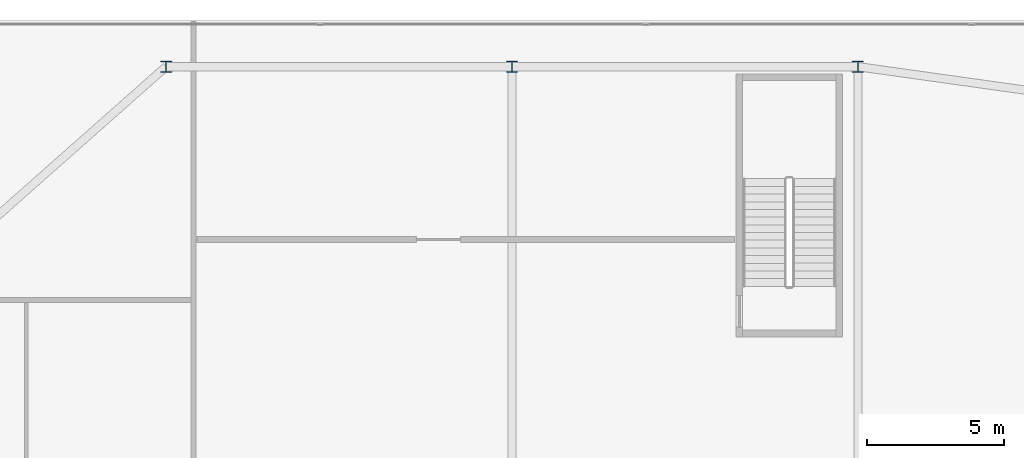
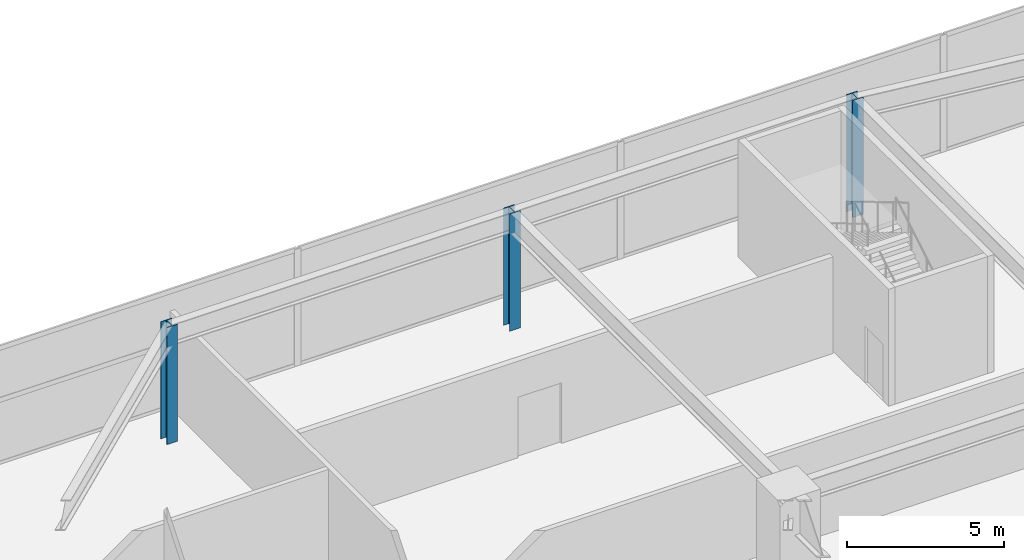
# One storey, part 2 of 30: 3 columns.
"""IFC4 building model written with IfcOpenShell, lengths in metres."""

from ifc_helpers import new_model, si_unit, direction, frame, origin, origin_2d, place, context, subcontext, project, spatial, i_section, extrude, material, material_profile, profile_set, type_object, element, save


model = new_model("IFC4")

# Units and contexts
model_context = context("Model", 3, precision=1e-05, world=origin(), true_north=direction((0.0, 1.0)))
body_context = subcontext(model_context, "Body", "Model", "MODEL_VIEW")
ifc_project = project(units=[si_unit("LENGTHUNIT", "METRE"), si_unit("AREAUNIT", "SQUARE_METRE"), si_unit("VOLUMEUNIT", "CUBIC_METRE"), si_unit("PLANEANGLEUNIT", "RADIAN"), si_unit("MASSUNIT", "GRAM", prefix="KILO")], contexts=[model_context])

# Site, building, storey
site_placement = place(None, origin())
site = spatial("IfcSite", under=ifc_project, at=site_placement, CompositionType="ELEMENT")
building_placement = place(site_placement, origin())
building = spatial("IfcBuilding", under=site, at=building_placement, Name="Calvorn Quay Hotel", CompositionType="ELEMENT")
storey_placement = place(building_placement, frame((0.0, 0.0, 17.0)))
storey = spatial("IfcBuildingStorey", under=building, at=storey_placement, Name="L03", CompositionType="ELEMENT", Elevation=17.0)

# Columns
ifc_material = material(Name="Steel Q420GJC", Category="steel")
ifc_material_profile = material_profile(ifc_material, i_section(OverallWidth=0.39990234375, OverallDepth=0.39990234375, WebThickness=0.012939453125, FlangeThickness=0.02099609375, FilletRadius=0.02197265625, at=origin_2d()), Name="HW400x400x13x21")
ifc_profile_set = profile_set([ifc_material_profile], Name="Steel Q420GJC")
column_type = type_object("IfcColumnType", Name="COL-STL-POD-PIL", PredefinedType="PILASTER", material=ifc_profile_set)
for number, where, z_axis, x_axis, name in (
    (1, (32.39990234375, 53.800048828125, 0.0), (0.0, 0.0, 1.0), (1.0, 0.0, 0.0), "Column C-PN3 (L03)"),
    (2, (45.0, 53.800048828125, 0.0), (0.0, 0.0, 1.0), (1.0, 0.0, 0.0), "Column C-PN4 (L03)"),
    (3, (57.60009765625, 53.800048828125, 0.0), (0.0, 0.0, 1.0), (1.0, 0.0, 0.0), "Column C-PN5 (L03)"),
):
    element("IfcColumn", number, at=place(storey_placement, frame(where, z_axis=z_axis, x_axis=x_axis)), inside=storey, type_object=column_type, Name=name, PredefinedType="PILASTER", context=body_context, shape_type="SweptSolid", body=[
        extrude(i_section(OverallWidth=0.39990234375, OverallDepth=0.39990234375, WebThickness=0.012939453125, FlangeThickness=0.02099609375, FilletRadius=0.02197265625, at=origin_2d()), origin(), (0.0, 0.0, 1.0), 4.550048828125),
    ])

save(model, "model.ifc")
